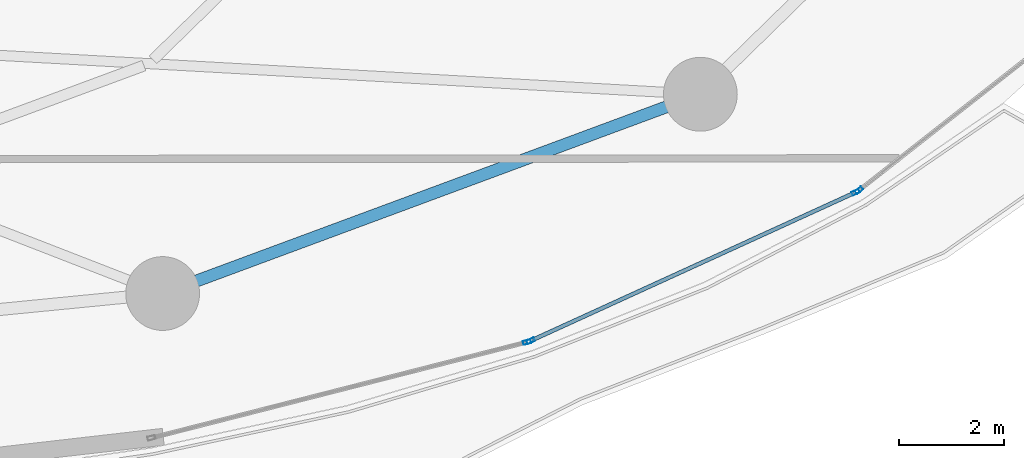
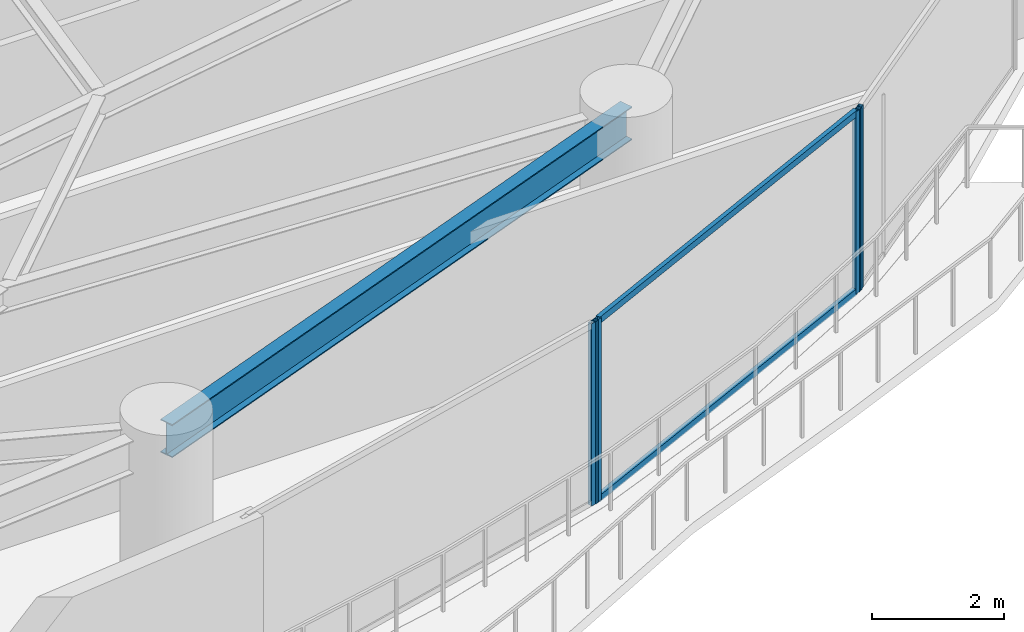
# One storey, part 13 of 33: 6 members, 1 beam, 3 elements without a shape of their own.
"""IFC4 building model written with IfcOpenShell, lengths in metres."""

from ifc_helpers import new_model, si_unit, direction, frame, origin, origin_2d, place, context, subcontext, project, spatial, hollow_rectangle, i_section, extrude, material, layer, layer_set, material_profile, profile_set, type_object, element, aggregate, save


model = new_model("IFC4")

# Units and contexts
model_context = context("Model", 3, precision=1e-05, world=origin(), true_north=direction((0.0, 1.0)))
body_context = subcontext(model_context, "Body", "Model", "MODEL_VIEW")
ifc_project = project(units=[si_unit("LENGTHUNIT", "METRE"), si_unit("AREAUNIT", "SQUARE_METRE"), si_unit("VOLUMEUNIT", "CUBIC_METRE"), si_unit("PLANEANGLEUNIT", "RADIAN"), si_unit("MASSUNIT", "GRAM", prefix="KILO")], contexts=[model_context])

# Site, building, storey
site_placement = place(None, origin())
site = spatial("IfcSite", under=ifc_project, at=site_placement, CompositionType="ELEMENT")
building_placement = place(site_placement, origin())
building = spatial("IfcBuilding", under=site, at=building_placement, Name="Kazevale Care Tower and Concert Hall", CompositionType="ELEMENT")
storey_placement = place(building_placement, frame((0.0, 0.0, 45.60009765625)))
storey = spatial("IfcBuildingStorey", under=building, at=storey_placement, Name="L11", CompositionType="ELEMENT", Elevation=45.60009765625)

# Curtain wall, member
ifc_material_1 = material(Name="Aluminium 6063-T6 and Low-E Glass", Category="aluminium")
ifc_layer = layer(ifc_material_1, 0.179931640625)
ifc_layer_set = layer_set([ifc_layer], Name="Aluminium 6063-T6 and Low-E Glass")
curtain_wall_type = type_object("IfcCurtainWallType", Name="Sheltered Concave Balcony Curtain Wall CW-5", PredefinedType="NOTDEFINED", material=ifc_layer_set)
curtain_wall_1_placement = place(storey_placement, origin())
curtain_wall_1 = element("IfcCurtainWall", 1, at=curtain_wall_1_placement, inside=storey, type_object=curtain_wall_type, Name="cw:L11:f02", PredefinedType="NOTDEFINED")
ifc_material_2 = material(Name="Aluminium 6063-T6", Category="aluminium")
ifc_material_profile_1 = material_profile(ifc_material_2, hollow_rectangle(XDim=0.074951171875, YDim=0.14990234375, WallThickness=0.00390625, at=origin_2d()), Name="ALU75x150x4")
ifc_profile_set_1 = profile_set([ifc_material_profile_1], Name="Aluminium 6063-T6")
member_type_1 = type_object("IfcMemberType", Name="CW-5 Mullion ALU75x150x4", PredefinedType="MULLION", material=ifc_profile_set_1)
member_1_placement = place(storey_placement, frame((70.25146484375, 20.490234375, 0.0), z_axis=(0.0, 0.0, 1.0), x_axis=(0.617807548814, -0.78632934107, 0.0)))
member_1 = element("IfcMember", 2, at=member_1_placement, type_object=member_type_1, Name="CW-5 mullion 2", PredefinedType="MULLION", context=body_context, shape_type="SweptSolid", body=[
    extrude(hollow_rectangle(XDim=0.074951171875, YDim=0.14990234375, WallThickness=0.00390625, at=origin_2d()), origin(), (0.0, 0.0, 1.0), 3.35986328125),
])
aggregate(curtain_wall_1, [member_1])

# Curtain wall, members
curtain_wall_2_placement = place(storey_placement, origin())
curtain_wall_2 = element("IfcCurtainWall", 3, at=curtain_wall_2_placement, inside=storey, type_object=curtain_wall_type, Name="cw:L11:f03", PredefinedType="NOTDEFINED")
member_2_placement = place(storey_placement, frame((70.18798828125, 20.451416015625, 0.0), z_axis=(0.0, 0.0, 1.0), x_axis=(0.415659767773, -0.909520179795, 0.0)))
member_2 = element("IfcMember", 4, at=member_2_placement, type_object=member_type_1, Name="CW-5 mullion 1", PredefinedType="MULLION", context=body_context, shape_type="SweptSolid", body=[
    extrude(hollow_rectangle(XDim=0.074951171875, YDim=0.14990234375, WallThickness=0.00390625, at=origin_2d()), origin(), (0.0, 0.0, 1.0), 3.35986328125),
])
member_3_placement = place(storey_placement, frame((64.022216796875, 17.633544921875, 0.0), z_axis=(0.0, 0.0, 1.0), x_axis=(0.415659767773, -0.909520179795, 0.0)))
member_3 = element("IfcMember", 5, at=member_3_placement, type_object=member_type_1, Name="CW-5 mullion 2", PredefinedType="MULLION", context=body_context, shape_type="SweptSolid", body=[
    extrude(hollow_rectangle(XDim=0.074951171875, YDim=0.14990234375, WallThickness=0.00390625, at=origin_2d()), origin(), (0.0, 0.0, 1.0), 3.35986328125),
])

# Curtain wall, member
curtain_wall_3_placement = place(storey_placement, origin())
curtain_wall_3 = element("IfcCurtainWall", 6, at=curtain_wall_3_placement, inside=storey, type_object=curtain_wall_type, Name="cw:L11:f04", PredefinedType="NOTDEFINED")
member_4_placement = place(storey_placement, frame((63.95166015625, 17.608642578125, 0.0), z_axis=(0.0, 0.0, 1.0), x_axis=(0.247221864936, -0.968958899798, 0.0)))
member_4 = element("IfcMember", 7, at=member_4_placement, type_object=member_type_1, Name="CW-5 mullion 1", PredefinedType="MULLION", context=body_context, shape_type="SweptSolid", body=[
    extrude(hollow_rectangle(XDim=0.074951171875, YDim=0.14990234375, WallThickness=0.00390625, at=origin_2d()), origin(), (0.0, 0.0, 1.0), 3.35986328125),
])
aggregate(curtain_wall_3, [member_4])

# Member
ifc_material_profile_2 = material_profile(ifc_material_2, hollow_rectangle(XDim=0.074951171875, YDim=0.1201171875, WallThickness=0.00390625, at=origin_2d()), Name="ALU75x120x4")
ifc_profile_set_2 = profile_set([ifc_material_profile_2], Name="Aluminium 6063-T6")
member_type_2 = type_object("IfcMemberType", Name="CW-5 Transom ALU75x120x4", PredefinedType="USERDEFINED", material=ifc_profile_set_2)
member_5_placement = place(storey_placement, frame((70.15380859375, 20.435791015625, 0.037353515625), z_axis=(-0.909524040017, -0.415651320978, 0.0), x_axis=(0.415651320978, -0.909524040017, 0.0)))
member_5 = element("IfcMember", 8, at=member_5_placement, type_object=member_type_2, Name="CW-5 transom 1.1", ObjectType="TRANSOM", PredefinedType="USERDEFINED", context=body_context, shape_type="SweptSolid", body=[
    extrude(hollow_rectangle(XDim=0.074951171875, YDim=0.1201171875, WallThickness=0.00390625, at=origin_2d()), origin(), (0.0, 0.0, 1.0), 6.704345703125),
])

member_6_placement = place(storey_placement, frame((70.15380859375, 20.435791015625, 3.322509765625), z_axis=(-0.909524040017, -0.415651320978, 0.0), x_axis=(0.415651320978, -0.909524040017, 0.0)))
member_6 = element("IfcMember", 9, at=member_6_placement, type_object=member_type_2, Name="CW-5 transom 1.2", ObjectType="TRANSOM", PredefinedType="USERDEFINED", context=body_context, shape_type="SweptSolid", body=[
    extrude(hollow_rectangle(XDim=0.074951171875, YDim=0.1201171875, WallThickness=0.00390625, at=origin_2d()), origin(), (0.0, 0.0, 1.0), 6.704345703125),
])

aggregate(curtain_wall_2, [member_2, member_3, member_5, member_6])

# Beam
ifc_material_3 = material(Name="Steel ASTM A572 Gr 50", Category="steel")
ifc_material_profile_3 = material_profile(ifc_material_3, i_section(OverallWidth=0.22900390625, OverallDepth=0.612060546875, WebThickness=0.011962890625, FlangeThickness=0.01953125, at=origin_2d()), Name="W610x125")
ifc_profile_set_3 = profile_set([ifc_material_profile_3], Name="Steel ASTM A572 Gr 50")
beam_type = type_object("IfcBeamType", Name="Ring Spandrel Beam W610x125", PredefinedType="SPANDREL", material=ifc_profile_set_3)
beam_placement = place(storey_placement, frame((57.0400390625, 18.530029296875, 3.053955078125), z_axis=(0.937680788596, 0.347497825458, 0.0), x_axis=(-0.347497825458, 0.937680788596, 0.0)))
element("IfcBeam", 10, at=beam_placement, inside=storey, type_object=beam_type, Name="beam:L11:ring:14", PredefinedType="SPANDREL", context=body_context, shape_type="SweptSolid", body=[
    extrude(i_section(OverallWidth=0.22900390625, OverallDepth=0.612060546875, WebThickness=0.011962890625, FlangeThickness=0.01953125, at=origin_2d()), origin(), (0.0, 0.0, 1.0), 10.8779296875),
])

save(model, "model.ifc")
